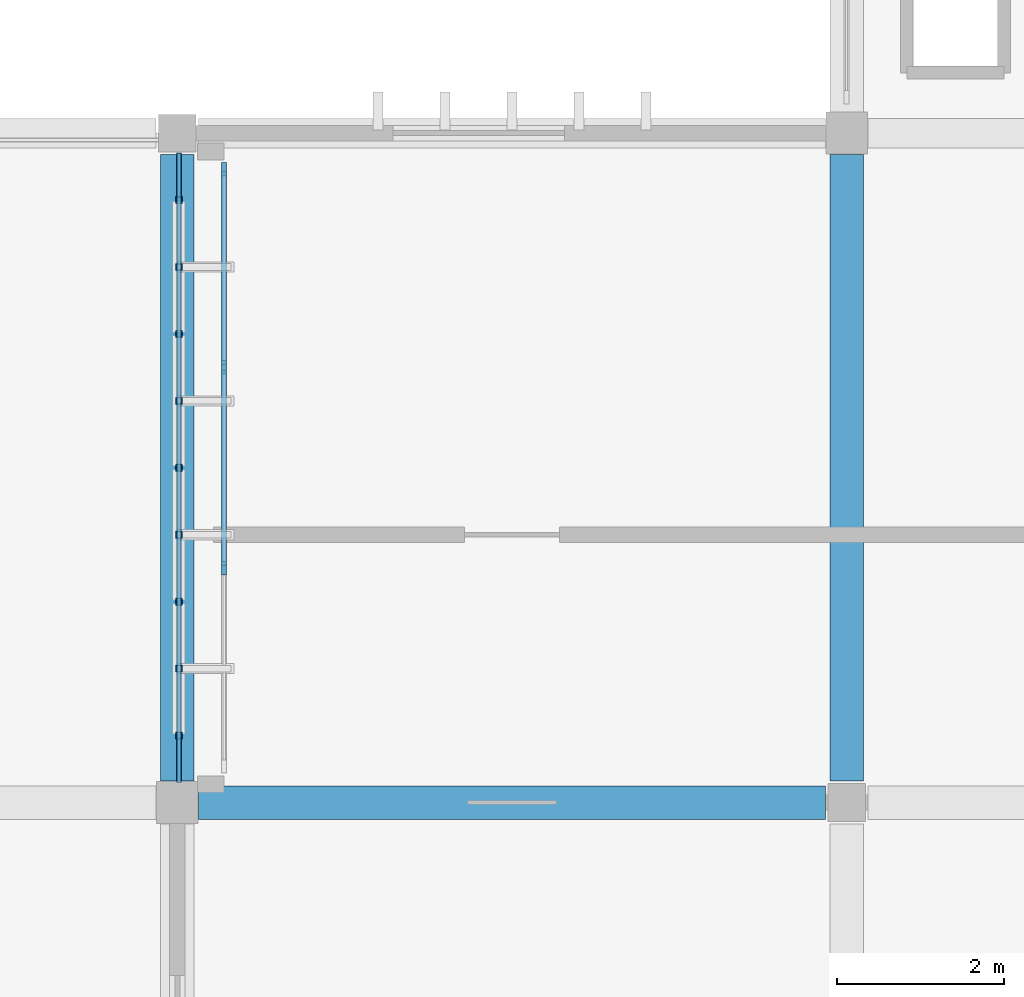
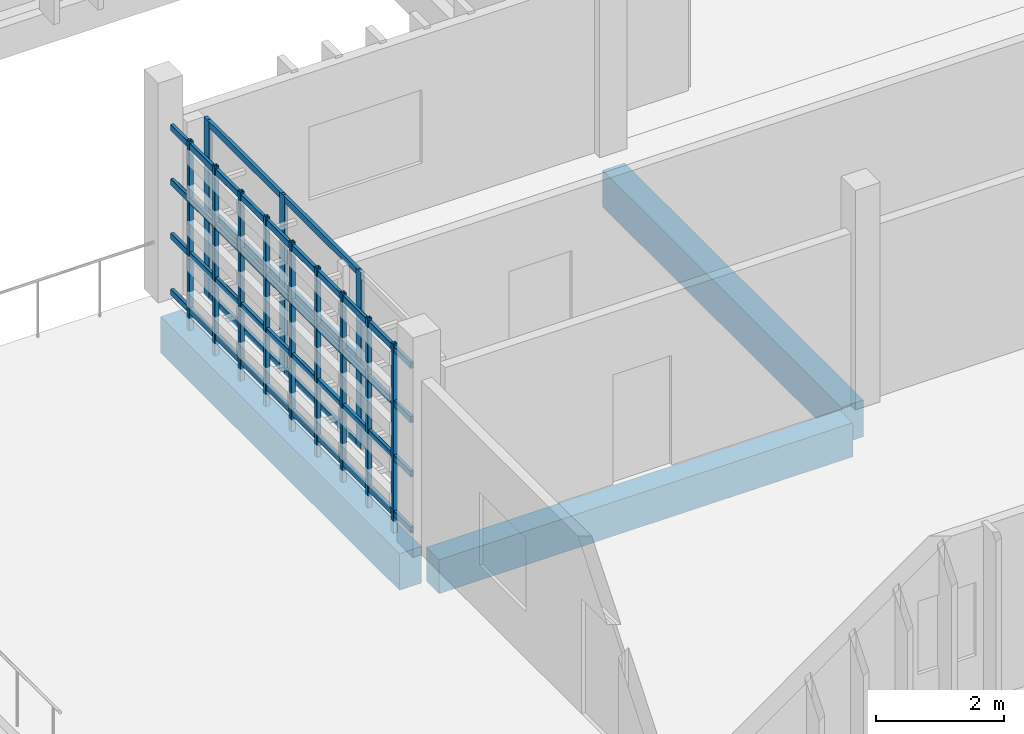
# One storey, part 9 of 63: 22 members, 3 beams, 1 element without a shape of its own.
"""IFC4 building model written with IfcOpenShell, lengths in metres."""

from ifc_helpers import new_model, si_unit, direction, frame, origin, origin_2d, place, context, subcontext, project, spatial, rectangle, hollow_rectangle, extrude, material, layer, layer_set, material_profile, profile_set, type_object, element, aggregate, save


model = new_model("IFC4")

# Units and contexts
model_context = context("Model", 3, precision=1e-05, world=origin(), true_north=direction((0.0, 1.0)))
body_context = subcontext(model_context, "Body", "Model", "MODEL_VIEW")
ifc_project = project(units=[si_unit("LENGTHUNIT", "METRE"), si_unit("AREAUNIT", "SQUARE_METRE"), si_unit("VOLUMEUNIT", "CUBIC_METRE"), si_unit("PLANEANGLEUNIT", "RADIAN"), si_unit("MASSUNIT", "GRAM", prefix="KILO")], contexts=[model_context])

# Site, building, storey
site_placement = place(None, origin())
site = spatial("IfcSite", under=ifc_project, at=site_placement, CompositionType="ELEMENT")
building_placement = place(site_placement, origin())
building = spatial("IfcBuilding", under=site, at=building_placement, Name="Jelvoka-Kovrelna Polytechnic", CompositionType="ELEMENT")
storey_placement = place(building_placement, frame((0.0, 0.0, 18.0)))
storey = spatial("IfcBuildingStorey", under=building, at=storey_placement, Name="L05", CompositionType="ELEMENT", Elevation=18.0)

# Beams
ifc_material_1 = material(Name="Concrete C40/50", Category="concrete")
ifc_material_profile_1 = material_profile(ifc_material_1, rectangle(XDim=0.39990234375, YDim=0.64990234375, at=origin_2d()), Name="RC 400x650")
ifc_profile_set_1 = profile_set([ifc_material_profile_1], Name="Concrete C40/50")
beam_type_1 = type_object("IfcBeamType", Name="Beam_RC_400x650", PredefinedType="BEAM", material=ifc_profile_set_1)
beam_placement = place(storey_placement, frame((64.2548828125, 16.0, -0.574951171875), z_axis=(1.0, 0.0, 0.0), x_axis=(0.0, 1.0, 0.0)))
element("IfcBeam", 1, at=beam_placement, inside=storey, type_object=beam_type_1, Name="L05 beam 1373", PredefinedType="BEAM", context=body_context, shape_type="SweptSolid", body=[
    extrude(rectangle(XDim=0.39990234375, YDim=0.64990234375, at=origin_2d()), origin(), (0.0, 0.0, 1.0), 7.490234375),
])
ifc_material_2 = material(Name="Concrete C40/50", Category="concrete")
ifc_material_profile_2 = material_profile(ifc_material_2, rectangle(XDim=0.39990234375, YDim=0.699951171875, at=origin_2d()), Name="RC 400x700")
ifc_profile_set_2 = profile_set([ifc_material_profile_2], Name="Concrete C40/50")
beam_type_2 = type_object("IfcBeamType", Name="Beam_RC_400x700", PredefinedType="BEAM", material=ifc_profile_set_2)
for number, where, z_axis, x_axis, name in (
    (2, (64.0, 16.2548828125, -0.60009765625), (0.0, 1.0, 0.0), (-1.0, 0.0, 0.0), "L05 beam 1385"),
    (3, (72.0, 16.2548828125, -0.60009765625), (0.0, 1.0, 0.0), (-1.0, 0.0, 0.0), "L05 beam 1387"),
):
    element("IfcBeam", number, at=place(storey_placement, frame(where, z_axis=z_axis, x_axis=x_axis)), inside=storey, type_object=beam_type_2, Name=name, PredefinedType="BEAM", context=body_context, shape_type="SweptSolid", body=[
        extrude(rectangle(XDim=0.39990234375, YDim=0.699951171875, at=origin_2d()), origin(), (0.0, 0.0, 1.0), 7.490234375),
    ])

# Members
ifc_material_3 = material(Name="Structural steel S355J2H", Category="steel")
ifc_material_profile_3 = material_profile(ifc_material_3, hollow_rectangle(XDim=0.06005859375, YDim=0.1201171875, WallThickness=0.0048828125, InnerFilletRadius=0.0048828125, OuterFilletRadius=0.007568359375, at=origin_2d()), Name="120x60x5.0 RHS")
ifc_profile_set_3 = profile_set([ifc_material_profile_3], Name="Structural steel S355J2H")
member_type_1 = type_object("IfcMemberType", Name="Member_Strut_RHS120", PredefinedType="STRUT", material=ifc_profile_set_3)
for number, where, z_axis, x_axis, name in (
    (4, (64.02001953125, 16.239990234375, 0.139892578125), (0.0, 1.0, 0.0), (-1.0, 0.0, 0.0), "L05 terracotta screen horizontal strut 0079"),
    (5, (64.02001953125, 16.239990234375, 1.2109375), (0.0, 1.0, 0.0), (-1.0, 0.0, 0.0), "L05 terracotta screen horizontal strut 0080"),
    (6, (64.02001953125, 16.239990234375, 2.25048828125), (0.0, 1.0, 0.0), (-1.0, 0.0, 0.0), "L05 terracotta screen horizontal strut 0081"),
    (7, (64.02001953125, 16.239990234375, 3.2900390625), (0.0, 1.0, 0.0), (-1.0, 0.0, 0.0), "L05 terracotta screen horizontal strut 0082"),
):
    element("IfcMember", number, at=place(storey_placement, frame(where, z_axis=z_axis, x_axis=x_axis)), inside=storey, type_object=member_type_1, Name=name, PredefinedType="STRUT", context=body_context, shape_type="SweptSolid", body=[
        extrude(hollow_rectangle(XDim=0.06005859375, YDim=0.1201171875, WallThickness=0.0048828125, InnerFilletRadius=0.0048828125, OuterFilletRadius=0.007568359375, at=origin_2d()), origin(), (0.0, 0.0, 1.0), 7.52001953125),
    ])
ifc_material_4 = material(Name="Structural steel S355J2H", Category="steel")
ifc_material_profile_4 = material_profile(ifc_material_4, hollow_rectangle(XDim=0.080078125, YDim=0.080078125, WallThickness=0.0048828125, InnerFilletRadius=0.0048828125, OuterFilletRadius=0.007568359375, at=origin_2d()), Name="80x80x5.0 SHS")
ifc_profile_set_4 = profile_set([ifc_material_profile_4], Name="Structural steel S355J2H")
member_type_2 = type_object("IfcMemberType", Name="Member_Strut_SHS80", PredefinedType="STRUT", material=ifc_profile_set_4)
for number, where, z_axis, x_axis, name in (
    (8, (64.02001953125, 16.800048828125, -0.22998046875), (0.0, 0.0, 1.0), (1.0, 0.0, 0.0), "L05 terracotta lattice vertical rib 0083"),
    (9, (64.02001953125, 17.60009765625, -0.22998046875), (0.0, 0.0, 1.0), (1.0, 0.0, 0.0), "L05 terracotta lattice vertical rib 0084"),
    (10, (64.02001953125, 18.39990234375, -0.22998046875), (0.0, 0.0, 1.0), (1.0, 0.0, 0.0), "L05 terracotta lattice vertical rib 0085"),
    (11, (64.02001953125, 19.199951171875, -0.22998046875), (0.0, 0.0, 1.0), (1.0, 0.0, 0.0), "L05 terracotta lattice vertical rib 0086"),
    (12, (64.02001953125, 20.0, -0.22998046875), (0.0, 0.0, 1.0), (1.0, 0.0, 0.0), "L05 terracotta lattice vertical rib 0087"),
    (13, (64.02001953125, 20.800048828125, -0.22998046875), (0.0, 0.0, 1.0), (1.0, 0.0, 0.0), "L05 terracotta lattice vertical rib 0088"),
    (14, (64.02001953125, 21.60009765625, -0.22998046875), (0.0, 0.0, 1.0), (1.0, 0.0, 0.0), "L05 terracotta lattice vertical rib 0089"),
    (15, (64.02001953125, 22.39990234375, -0.22998046875), (0.0, 0.0, 1.0), (1.0, 0.0, 0.0), "L05 terracotta lattice vertical rib 0090"),
    (16, (64.02001953125, 23.199951171875, -0.22998046875), (0.0, 0.0, 1.0), (1.0, 0.0, 0.0), "L05 terracotta lattice vertical rib 0091"),
):
    element("IfcMember", number, at=place(storey_placement, frame(where, z_axis=z_axis, x_axis=x_axis)), inside=storey, type_object=member_type_2, Name=name, PredefinedType="STRUT", context=body_context, shape_type="SweptSolid", body=[
        extrude(hollow_rectangle(XDim=0.080078125, YDim=0.080078125, WallThickness=0.0048828125, InnerFilletRadius=0.0048828125, OuterFilletRadius=0.007568359375, at=origin_2d()), origin(), (0.0, 0.0, 1.0), 3.60986328125),
    ])

# Curtain wall, members
ifc_material_5 = material(Name="Anodised aluminium 6063-T6", Category="aluminium")
ifc_layer = layer(ifc_material_5, 0.159912109375)
ifc_layer_set = layer_set([ifc_layer], Name="Anodised aluminium 6063-T6")
curtain_wall_type = type_object("IfcCurtainWallType", Name="CW_Recessed_A", PredefinedType="NOTDEFINED", material=ifc_layer_set)
curtain_wall_placement = place(storey_placement, origin())
curtain_wall = element("IfcCurtainWall", 17, at=curtain_wall_placement, inside=storey, type_object=curtain_wall_type, Name="L05 glazed curtain wall 007", PredefinedType="NOTDEFINED")
ifc_material_6 = material(Name="Anodised aluminium 6063-T6", Category="aluminium")
ifc_material_profile_5 = material_profile(ifc_material_6, rectangle(XDim=0.06005859375, YDim=0.159912109375, at=origin_2d()), Name="ALU 60x160")
ifc_profile_set_5 = profile_set([ifc_material_profile_5], Name="Anodised aluminium 6063-T6")
member_type_3 = type_object("IfcMemberType", Name="Mullion_M-01", PredefinedType="MULLION", material=ifc_profile_set_5)
member_1_placement = place(storey_placement, frame((64.56005859375, 18.800048828125, -0.02490234375), z_axis=(0.0, 0.0, 1.0), x_axis=(-1.0, 0.0, 0.0)))
member_1 = element("IfcMember", 18, at=member_1_placement, type_object=member_type_3, Name="CW-01 mullion 2", PredefinedType="MULLION", context=body_context, shape_type="SweptSolid", body=[
    extrude(rectangle(XDim=0.06005859375, YDim=0.159912109375, at=origin_2d()), origin(), (0.0, 0.0, 1.0), 3.400146484375),
])
member_2_placement = place(storey_placement, frame((64.56005859375, 21.199951171875, -0.02490234375), z_axis=(0.0, 0.0, 1.0), x_axis=(-1.0, 0.0, 0.0)))
member_2 = element("IfcMember", 19, at=member_2_placement, type_object=member_type_3, Name="CW-01 mullion 3", PredefinedType="MULLION", context=body_context, shape_type="SweptSolid", body=[
    extrude(rectangle(XDim=0.06005859375, YDim=0.159912109375, at=origin_2d()), origin(), (0.0, 0.0, 1.0), 3.400146484375),
])
member_3_placement = place(storey_placement, frame((64.56005859375, 23.570068359375, -0.02490234375), z_axis=(0.0, 0.0, 1.0), x_axis=(-1.0, 0.0, 0.0)))
member_3 = element("IfcMember", 20, at=member_3_placement, type_object=member_type_3, Name="CW-01 mullion 4", PredefinedType="MULLION", context=body_context, shape_type="SweptSolid", body=[
    extrude(rectangle(XDim=0.06005859375, YDim=0.159912109375, at=origin_2d()), origin(), (0.0, 0.0, 1.0), 3.400146484375),
])
ifc_material_7 = material(Name="Anodised aluminium 6063-T6", Category="aluminium")
ifc_material_profile_6 = material_profile(ifc_material_7, rectangle(XDim=0.06005859375, YDim=0.1201171875, at=origin_2d()), Name="ALU 60x120")
ifc_profile_set_6 = profile_set([ifc_material_profile_6], Name="Anodised aluminium 6063-T6")
member_type_4 = type_object("IfcMemberType", Name="Transom_T-01", PredefinedType="USERDEFINED", material=ifc_profile_set_6)
member_4_placement = place(storey_placement, frame((64.56005859375, 18.830078125, 0.030029296875), z_axis=(0.0, 1.0, 0.0), x_axis=(-1.0, 0.0, 0.0)))
member_4 = element("IfcMember", 21, at=member_4_placement, type_object=member_type_4, Name="CW-01 transom 2.1", ObjectType="TRANSOM", PredefinedType="USERDEFINED", context=body_context, shape_type="SweptSolid", body=[
    extrude(rectangle(XDim=0.06005859375, YDim=0.1201171875, at=origin_2d()), origin(), (0.0, 0.0, 1.0), 2.33984375),
])
member_5_placement = place(storey_placement, frame((64.56005859375, 18.830078125, 1.675048828125), z_axis=(0.0, 1.0, 0.0), x_axis=(-1.0, 0.0, 0.0)))
member_5 = element("IfcMember", 22, at=member_5_placement, type_object=member_type_4, Name="CW-01 transom 2.2", ObjectType="TRANSOM", PredefinedType="USERDEFINED", context=body_context, shape_type="SweptSolid", body=[
    extrude(rectangle(XDim=0.06005859375, YDim=0.1201171875, at=origin_2d()), origin(), (0.0, 0.0, 1.0), 2.33984375),
])
member_6_placement = place(storey_placement, frame((64.56005859375, 18.830078125, 3.320068359375), z_axis=(0.0, 1.0, 0.0), x_axis=(-1.0, 0.0, 0.0)))
member_6 = element("IfcMember", 23, at=member_6_placement, type_object=member_type_4, Name="CW-01 transom 2.3", ObjectType="TRANSOM", PredefinedType="USERDEFINED", context=body_context, shape_type="SweptSolid", body=[
    extrude(rectangle(XDim=0.06005859375, YDim=0.1201171875, at=origin_2d()), origin(), (0.0, 0.0, 1.0), 2.33984375),
])
member_7_placement = place(storey_placement, frame((64.56005859375, 21.22998046875, 0.030029296875), z_axis=(0.0, 1.0, 0.0), x_axis=(-1.0, 0.0, 0.0)))
member_7 = element("IfcMember", 24, at=member_7_placement, type_object=member_type_4, Name="CW-01 transom 3.1", ObjectType="TRANSOM", PredefinedType="USERDEFINED", context=body_context, shape_type="SweptSolid", body=[
    extrude(rectangle(XDim=0.06005859375, YDim=0.1201171875, at=origin_2d()), origin(), (0.0, 0.0, 1.0), 2.31005859375),
])
member_8_placement = place(storey_placement, frame((64.56005859375, 21.22998046875, 1.675048828125), z_axis=(0.0, 1.0, 0.0), x_axis=(-1.0, 0.0, 0.0)))
member_8 = element("IfcMember", 25, at=member_8_placement, type_object=member_type_4, Name="CW-01 transom 3.2", ObjectType="TRANSOM", PredefinedType="USERDEFINED", context=body_context, shape_type="SweptSolid", body=[
    extrude(rectangle(XDim=0.06005859375, YDim=0.1201171875, at=origin_2d()), origin(), (0.0, 0.0, 1.0), 2.31005859375),
])
member_9_placement = place(storey_placement, frame((64.56005859375, 21.22998046875, 3.320068359375), z_axis=(0.0, 1.0, 0.0), x_axis=(-1.0, 0.0, 0.0)))
member_9 = element("IfcMember", 26, at=member_9_placement, type_object=member_type_4, Name="CW-01 transom 3.3", ObjectType="TRANSOM", PredefinedType="USERDEFINED", context=body_context, shape_type="SweptSolid", body=[
    extrude(rectangle(XDim=0.06005859375, YDim=0.1201171875, at=origin_2d()), origin(), (0.0, 0.0, 1.0), 2.31005859375),
])
aggregate(curtain_wall, [member_1, member_2, member_3, member_4, member_5, member_6, member_7, member_8, member_9])

save(model, "model.ifc")
